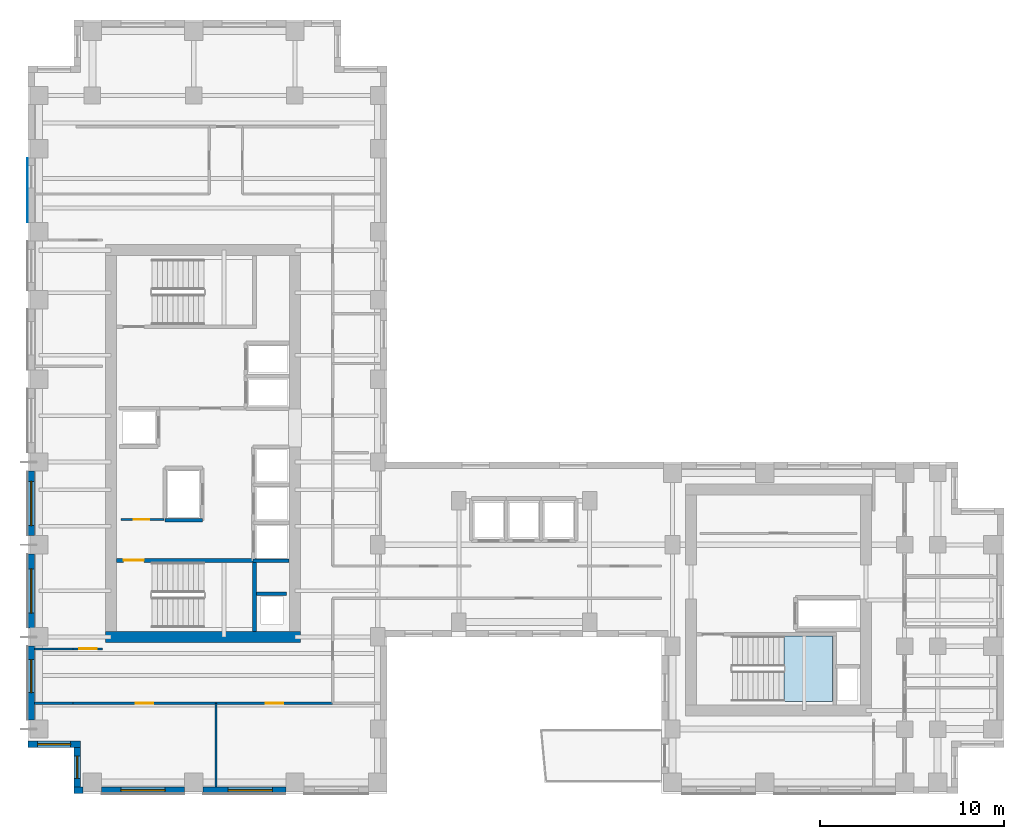
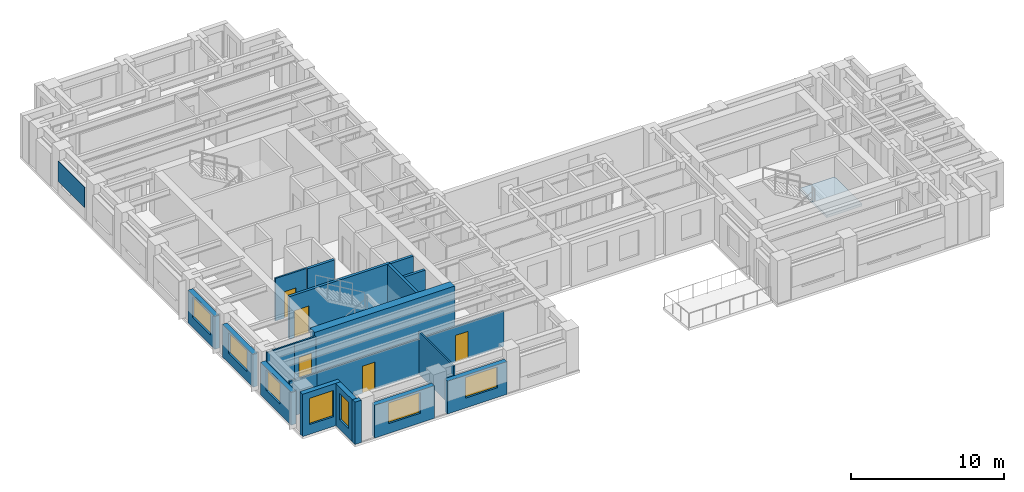
# One storey, part 3 of 12: 21 walls, 7 windows, 5 doors, 1 plate, 1 slab, 12 openings, 1 element without a shape of its own.
"""IFC4 building model written with IfcOpenShell, lengths in metres."""

from ifc_helpers import new_model, si_unit, direction, frame, frame_2d, origin, origin_2d, place, context, subcontext, project, spatial, polyline, rectangle, outline, extrude, source, transform, mapped, material, layer, layer_set, type_object, element, fill, aggregate, save


model = new_model("IFC4")

# Units and contexts
model_context = context("Model", 3, precision=1e-05, world=origin(), true_north=direction((0.0, 1.0)))
body_context = subcontext(model_context, "Body", "Model", "MODEL_VIEW")
ifc_project = project(units=[si_unit("LENGTHUNIT", "METRE"), si_unit("AREAUNIT", "SQUARE_METRE"), si_unit("VOLUMEUNIT", "CUBIC_METRE"), si_unit("PLANEANGLEUNIT", "RADIAN"), si_unit("MASSUNIT", "GRAM", prefix="KILO")], contexts=[model_context])

# Site, building, storey
site_placement = place(None, origin())
site = spatial("IfcSite", under=ifc_project, at=site_placement, CompositionType="ELEMENT")
building_placement = place(site_placement, origin())
building = spatial("IfcBuilding", under=site, at=building_placement, Name="Kharzan Plaza Tower", CompositionType="ELEMENT")
storey_placement = place(building_placement, frame((0.0, 0.0, 179.10009765625)))
storey = spatial("IfcBuildingStorey", under=building, at=storey_placement, Name="L48", CompositionType="ELEMENT", Elevation=179.10009765625)

# Stair, slab
ifc_material_1 = material(Name="Concrete C40/50", Category="concrete")
stair_type = type_object("IfcStairType", Name="STR-ST-3", PredefinedType="HALF_TURN_STAIR", material=ifc_material_1)
stair_placement = place(storey_placement, origin())
stair = element("IfcStair", 1, at=stair_placement, inside=storey, type_object=stair_type, Name="L48 Protected Exit Stair ST-3", PredefinedType="HALF_TURN_STAIR")
ifc_layer_1 = layer(ifc_material_1, 0.219970703125)
ifc_layer_set_1 = layer_set([ifc_layer_1], Name="Concrete C40/50")
slab_type = type_object("IfcSlabType", Name="SL-LANDING-220", PredefinedType="LANDING", material=ifc_layer_set_1)
slab_placement = place(storey_placement, frame((0.0, 0.0, 1.599853515625)))
slab = element("IfcSlab", 2, at=slab_placement, type_object=slab_type, Name="ST-3 landing 1", PredefinedType="LANDING", context=body_context, shape_type="SweptSolid", body=[
    extrude(outline(polyline([(41.050048828125, 5.0), (43.699951171875, 5.0), (43.699951171875, 8.550048828125), (41.050048828125, 8.550048828125), (41.050048828125, 5.0)])), origin(), (0.0, 0.0, 1.0), 0.199951171875),
])
aggregate(stair, [slab])

# Plate
ifc_material_2 = material(Name="Perforated Bronze-Anodized Aluminium", Category="aluminium")
ifc_layer_2 = layer(ifc_material_2, 0.030029296875)
ifc_layer_set_2 = layer_set([ifc_layer_2], Name="Perforated Bronze-Anodized Aluminium")
plate_type = type_object("IfcPlateType", Name="PLT-MASH-SCREEN", PredefinedType="SHEET", material=ifc_layer_set_2)
shared_shape_1 = source(origin(), body_context, "Body", "SweptSolid", [
    extrude(rectangle(XDim=3.464111328125, YDim=0.030029296875, at=origin_2d()), origin(), (0.0, 0.0, 1.0), 1.632080078125),
])
plate_placement = place(storey_placement, frame((-0.012939453125, 32.75, 1.013671875), z_axis=(0.0, 0.0, 1.0), x_axis=(0.0, -1.0, 0.0)))
element("IfcPlate", 3, at=plate_placement, inside=storey, type_object=plate_type, Name="L48 Perforated Mashrabiya Solar Screen", PredefinedType="SHEET", context=body_context, shape_type="MappedRepresentation", body=[
    mapped(shared_shape_1, transform((0.0, 0.0, 0.0), x_axis=(1.0, 0.0, 0.0), y_axis=(0.0, 1.0, 0.0), z_axis=(0.0, 0.0, 1.0))),
])

# Wall, opening, window
ifc_layer_3 = layer(ifc_material_1, 0.35009765625)
ifc_layer_set_3 = layer_set([ifc_layer_3], Name="Concrete C40/50")
wall_type_1 = type_object("IfcWallType", Name="WL-EXT-MAS-Z3", PredefinedType="SOLIDWALL", material=ifc_layer_set_3)
wall_1_placement = place(storey_placement, frame((0.175048828125, 17.501953125, 0.0), z_axis=(0.0, 0.0, 1.0), x_axis=(0.0, -1.0, 0.0)))
wall_1 = element("IfcWall", 4, at=wall_1_placement, inside=storey, type_object=wall_type_1, Name="L48 Masonry-Frame Exterior Wall 15", PredefinedType="SOLIDWALL", context=body_context, shape_type="SweptSolid", body=[
    extrude(rectangle(XDim=3.50390625, YDim=0.35009765625, at=frame_2d((1.751953125, 0.0))), origin(), (0.0, 0.0, 1.0), 2.61181640625),
])
opening_1_placement = place(wall_1_placement, frame((0.552001953125, 0.0, 0.780029296875)))
opening_1 = element("IfcOpeningElement", 5, at=opening_1_placement, cuts=wall_1, Name="Opening W2", PredefinedType="OPENING", context=body_context, shape_type="SweptSolid", body=[
    extrude(rectangle(XDim=2.39990234375, YDim=1.652099609375, at=frame_2d((1.199951171875, 0.826171875))), frame((0.0, 0.18505859375, 0.0), z_axis=(0.0, -1.0, 0.0), x_axis=(1.0, 0.0, 0.0)), (0.0, 0.0, 1.0), 0.3701171875),
])
ifc_material_3 = material(Name="Low-E Double Glazing", Category="glass")
window_type_1 = type_object("IfcWindowType", Name="WN-REC-2400x2100", PartitioningType="SINGLE_PANEL", PredefinedType="WINDOW", material=ifc_material_3)
shared_shape_2 = source(origin(), body_context, "Body", "SweptSolid", [
    extrude(rectangle(XDim=2.39990234375, YDim=1.652099609375, at=frame_2d((1.199951171875, 0.826171875))), frame((0.0, 0.030029296875, 0.0), z_axis=(0.0, -1.0, 0.0), x_axis=(1.0, 0.0, 0.0)), (0.0, 0.0, 1.0), 0.06005859375),
])
window_1_placement = place(opening_1_placement, origin())
window_1 = element("IfcWindow", 6, at=window_1_placement, inside=storey, type_object=window_type_1, Name="L48 Wide Recessed Solar-Control Window 15-1", OverallHeight=1.652099609375, OverallWidth=2.39990234375, PartitioningType="SINGLE_PANEL", PredefinedType="WINDOW", context=body_context, shape_type="MappedRepresentation", body=[
    mapped(shared_shape_2, transform((0.0, 0.0, 0.0), x_axis=(1.0, 0.0, 0.0), y_axis=(0.0, 1.0, 0.0), z_axis=(0.0, 0.0, 1.0))),
])
fill(opening_1, window_1)

wall_2_placement = place(storey_placement, frame((0.175048828125, 13.001953125, 0.0), z_axis=(0.0, 0.0, 1.0), x_axis=(0.0, -1.0, 0.0)))
wall_2 = element("IfcWall", 7, at=wall_2_placement, inside=storey, type_object=wall_type_1, Name="L48 Masonry-Frame Exterior Wall 16", PredefinedType="SOLIDWALL", context=body_context, shape_type="SweptSolid", body=[
    extrude(rectangle(XDim=4.00390625, YDim=0.35009765625, at=frame_2d((2.001953125, 0.0))), origin(), (0.0, 0.0, 1.0), 2.61181640625),
])
opening_2_placement = place(wall_2_placement, frame((0.802001953125, 0.0, 0.780029296875)))
opening_2 = element("IfcOpeningElement", 8, at=opening_2_placement, cuts=wall_2, Name="Opening W2", PredefinedType="OPENING", context=body_context, shape_type="SweptSolid", body=[
    extrude(rectangle(XDim=2.39990234375, YDim=1.652099609375, at=frame_2d((1.199951171875, 0.826171875))), frame((0.0, 0.18505859375, 0.0), z_axis=(0.0, -1.0, 0.0), x_axis=(1.0, 0.0, 0.0)), (0.0, 0.0, 1.0), 0.3701171875),
])
window_2_placement = place(opening_2_placement, origin())
window_2 = element("IfcWindow", 9, at=window_2_placement, inside=storey, type_object=window_type_1, Name="L48 Wide Recessed Solar-Control Window 16-1", OverallHeight=1.652099609375, OverallWidth=2.39990234375, PartitioningType="SINGLE_PANEL", PredefinedType="WINDOW", context=body_context, shape_type="MappedRepresentation", body=[
    mapped(shared_shape_2, transform((0.0, 0.0, 0.0), x_axis=(1.0, 0.0, 0.0), y_axis=(0.0, 1.0, 0.0), z_axis=(0.0, 0.0, 1.0))),
])
fill(opening_2, window_2)

wall_3_placement = place(storey_placement, frame((0.175048828125, 8.001953125, 0.0), z_axis=(0.0, 0.0, 1.0), x_axis=(0.0, -1.0, 0.0)))
wall_3 = element("IfcWall", 10, at=wall_3_placement, inside=storey, type_object=wall_type_1, Name="L48 Masonry-Frame Exterior Wall 17", PredefinedType="SOLIDWALL", context=body_context, shape_type="SweptSolid", body=[
    extrude(rectangle(XDim=4.00390625, YDim=0.35009765625, at=frame_2d((2.001953125, 0.0))), origin(), (0.0, 0.0, 1.0), 2.61181640625),
])
opening_3_placement = place(wall_3_placement, frame((0.72705078125, 0.0, 0.780029296875)))
opening_3 = element("IfcOpeningElement", 11, at=opening_3_placement, cuts=wall_3, Name="Opening W1", PredefinedType="OPENING", context=body_context, shape_type="SweptSolid", body=[
    extrude(rectangle(XDim=1.800048828125, YDim=1.652099609375, at=frame_2d((0.89990234375, 0.826171875))), frame((0.0, 0.18505859375, 0.0), z_axis=(0.0, -1.0, 0.0), x_axis=(1.0, 0.0, 0.0)), (0.0, 0.0, 1.0), 0.3701171875),
])
window_type_2 = type_object("IfcWindowType", Name="WN-REC-1800x2100", PartitioningType="SINGLE_PANEL", PredefinedType="WINDOW", material=ifc_material_3)
shared_shape_3 = source(origin(), body_context, "Body", "SweptSolid", [
    extrude(rectangle(XDim=1.800048828125, YDim=1.652099609375, at=frame_2d((0.89990234375, 0.826171875))), frame((0.0, 0.030029296875, 0.0), z_axis=(0.0, -1.0, 0.0), x_axis=(1.0, 0.0, 0.0)), (0.0, 0.0, 1.0), 0.06005859375),
])
window_3_placement = place(opening_3_placement, origin())
window_3 = element("IfcWindow", 12, at=window_3_placement, inside=storey, type_object=window_type_2, Name="L48 Recessed Solar-Control Window 17-1", OverallHeight=1.652099609375, OverallWidth=1.800048828125, PartitioningType="SINGLE_PANEL", PredefinedType="WINDOW", context=body_context, shape_type="MappedRepresentation", body=[
    mapped(shared_shape_3, transform((0.0, 0.0, 0.0), x_axis=(1.0, 0.0, 0.0), y_axis=(0.0, 1.0, 0.0), z_axis=(0.0, 0.0, 1.0))),
])
fill(opening_3, window_3)

wall_4_placement = place(storey_placement, frame((0.0, 2.675048828125, 0.0), z_axis=(0.0, 0.0, 1.0), x_axis=(1.0, 0.0, 0.0)))
wall_4 = element("IfcWall", 13, at=wall_4_placement, inside=storey, type_object=wall_type_1, Name="L48 Masonry-Frame Exterior Wall 18", PredefinedType="SOLIDWALL", context=body_context, shape_type="SweptSolid", body=[
    extrude(rectangle(XDim=2.85009765625, YDim=0.35009765625, at=frame_2d((1.425048828125, 0.0))), origin(), (0.0, 0.0, 1.0), 3.385009765625),
])
opening_4_placement = place(wall_4_placement, frame((0.52490234375, 0.0, 0.780029296875)))
opening_4 = element("IfcOpeningElement", 14, at=opening_4_placement, cuts=wall_4, Name="Opening W1", PredefinedType="OPENING", context=body_context, shape_type="SweptSolid", body=[
    extrude(rectangle(XDim=1.800048828125, YDim=2.10009765625, at=frame_2d((0.89990234375, 1.050048828125))), frame((0.0, 0.18505859375, 0.0), z_axis=(0.0, -1.0, 0.0), x_axis=(1.0, 0.0, 0.0)), (0.0, 0.0, 1.0), 0.3701171875),
])
shared_shape_4 = source(origin(), body_context, "Body", "SweptSolid", [
    extrude(rectangle(XDim=1.800048828125, YDim=2.10009765625, at=frame_2d((0.89990234375, 1.050048828125))), frame((0.0, 0.030029296875, 0.0), z_axis=(0.0, -1.0, 0.0), x_axis=(1.0, 0.0, 0.0)), (0.0, 0.0, 1.0), 0.06005859375),
])
window_4_placement = place(opening_4_placement, origin())
window_4 = element("IfcWindow", 15, at=window_4_placement, inside=storey, type_object=window_type_2, Name="L48 Recessed Solar-Control Window 18-1", OverallHeight=2.10009765625, OverallWidth=1.800048828125, PartitioningType="SINGLE_PANEL", PredefinedType="WINDOW", context=body_context, shape_type="MappedRepresentation", body=[
    mapped(shared_shape_4, transform((0.0, 0.0, 0.0), x_axis=(1.0, 0.0, 0.0), y_axis=(0.0, 1.0, 0.0), z_axis=(0.0, 0.0, 1.0))),
])
fill(opening_4, window_4)

wall_5_placement = place(storey_placement, frame((2.675048828125, 2.501953125, 0.0), z_axis=(0.0, 0.0, 1.0), x_axis=(0.0, -1.0, 0.0)))
wall_5 = element("IfcWall", 16, at=wall_5_placement, inside=storey, type_object=wall_type_1, Name="L48 Masonry-Frame Exterior Wall 19", PredefinedType="SOLIDWALL", context=body_context, shape_type="SweptSolid", body=[
    extrude(rectangle(XDim=2.154052734375, YDim=0.35009765625, at=frame_2d((1.0771484375, 0.0))), origin(), (0.0, 0.0, 1.0), 3.385009765625),
])
opening_5_placement = place(wall_5_placement, frame((0.47705078125, 0.0, 0.780029296875)))
opening_5 = element("IfcOpeningElement", 17, at=opening_5_placement, cuts=wall_5, Name="Opening W3", PredefinedType="OPENING", context=body_context, shape_type="SweptSolid", body=[
    extrude(rectangle(XDim=1.199951171875, YDim=2.10009765625, at=frame_2d((0.60009765625, 1.050048828125))), frame((0.0, 0.18505859375, 0.0), z_axis=(0.0, -1.0, 0.0), x_axis=(1.0, 0.0, 0.0)), (0.0, 0.0, 1.0), 0.3701171875),
])
window_type_3 = type_object("IfcWindowType", Name="WN-REC-1200x2100", PartitioningType="SINGLE_PANEL", PredefinedType="WINDOW", material=ifc_material_3)
shared_shape_5 = source(origin(), body_context, "Body", "SweptSolid", [
    extrude(rectangle(XDim=1.199951171875, YDim=2.10009765625, at=frame_2d((0.60009765625, 1.050048828125))), frame((0.0, 0.030029296875, 0.0), z_axis=(0.0, -1.0, 0.0), x_axis=(1.0, 0.0, 0.0)), (0.0, 0.0, 1.0), 0.06005859375),
])
window_5_placement = place(opening_5_placement, origin())
window_5 = element("IfcWindow", 18, at=window_5_placement, inside=storey, type_object=window_type_3, Name="L48 Recessed Solar-Control Window 19-1", OverallHeight=2.10009765625, OverallWidth=1.199951171875, PartitioningType="SINGLE_PANEL", PredefinedType="WINDOW", context=body_context, shape_type="MappedRepresentation", body=[
    mapped(shared_shape_5, transform((0.0, 0.0, 0.0), x_axis=(1.0, 0.0, 0.0), y_axis=(0.0, 1.0, 0.0), z_axis=(0.0, 0.0, 1.0))),
])
fill(opening_5, window_5)

wall_6_placement = place(storey_placement, frame((3.998046875, 0.175048828125, 0.0), z_axis=(0.0, 0.0, 1.0), x_axis=(1.0, 0.0, 0.0)))
wall_6 = element("IfcWall", 19, at=wall_6_placement, inside=storey, type_object=wall_type_1, Name="L48 Masonry-Frame Exterior Wall 21", PredefinedType="SOLIDWALL", context=body_context, shape_type="SweptSolid", body=[
    extrude(rectangle(XDim=4.50390625, YDim=0.35009765625, at=frame_2d((2.251953125, 0.0))), origin(), (0.0, 0.0, 1.0), 2.61181640625),
])
opening_6_placement = place(wall_6_placement, frame((1.052001953125, 0.0, 0.780029296875)))
opening_6 = element("IfcOpeningElement", 20, at=opening_6_placement, cuts=wall_6, Name="Opening W2", PredefinedType="OPENING", context=body_context, shape_type="SweptSolid", body=[
    extrude(rectangle(XDim=2.39990234375, YDim=1.652099609375, at=frame_2d((1.199951171875, 0.826171875))), frame((0.0, 0.18505859375, 0.0), z_axis=(0.0, -1.0, 0.0), x_axis=(1.0, 0.0, 0.0)), (0.0, 0.0, 1.0), 0.3701171875),
])
window_6_placement = place(opening_6_placement, origin())
window_6 = element("IfcWindow", 21, at=window_6_placement, inside=storey, type_object=window_type_1, Name="L48 Wide Recessed Solar-Control Window 21-1", OverallHeight=1.652099609375, OverallWidth=2.39990234375, PartitioningType="SINGLE_PANEL", PredefinedType="WINDOW", context=body_context, shape_type="MappedRepresentation", body=[
    mapped(shared_shape_2, transform((0.0, 0.0, 0.0), x_axis=(1.0, 0.0, 0.0), y_axis=(0.0, 1.0, 0.0), z_axis=(0.0, 0.0, 1.0))),
])
fill(opening_6, window_6)

wall_7_placement = place(storey_placement, frame((9.498046875, 0.175048828125, 0.0), z_axis=(0.0, 0.0, 1.0), x_axis=(1.0, 0.0, 0.0)))
wall_7 = element("IfcWall", 22, at=wall_7_placement, inside=storey, type_object=wall_type_1, Name="L48 Masonry-Frame Exterior Wall 22", PredefinedType="SOLIDWALL", context=body_context, shape_type="SweptSolid", body=[
    extrude(rectangle(XDim=4.50390625, YDim=0.35009765625, at=frame_2d((2.251953125, 0.0))), origin(), (0.0, 0.0, 1.0), 2.61181640625),
])
opening_7_placement = place(wall_7_placement, frame((1.37451171875, 0.0, 0.780029296875)))
opening_7 = element("IfcOpeningElement", 23, at=opening_7_placement, cuts=wall_7, Name="Opening W2", PredefinedType="OPENING", context=body_context, shape_type="SweptSolid", body=[
    extrude(rectangle(XDim=2.39990234375, YDim=1.652099609375, at=frame_2d((1.199951171875, 0.826171875))), frame((0.0, 0.18505859375, 0.0), z_axis=(0.0, -1.0, 0.0), x_axis=(1.0, 0.0, 0.0)), (0.0, 0.0, 1.0), 0.3701171875),
])
window_7_placement = place(opening_7_placement, origin())
window_7 = element("IfcWindow", 24, at=window_7_placement, inside=storey, type_object=window_type_1, Name="L48 Wide Recessed Solar-Control Window 22-1", OverallHeight=1.652099609375, OverallWidth=2.39990234375, PartitioningType="SINGLE_PANEL", PredefinedType="WINDOW", context=body_context, shape_type="MappedRepresentation", body=[
    mapped(shared_shape_2, transform((0.0, 0.0, 0.0), x_axis=(1.0, 0.0, 0.0), y_axis=(0.0, 1.0, 0.0), z_axis=(0.0, 0.0, 1.0))),
])
fill(opening_7, window_7)

# Wall, opening, door
ifc_material_4 = material(Name="Fire-Rated Gypsum Board Partition", Category="gypsum")
ifc_layer_4 = layer(ifc_material_4, 0.125)
ifc_layer_set_4 = layer_set([ifc_layer_4], Name="Fire-Rated Gypsum Board Partition")
wall_type_2 = type_object("IfcWallType", Name="WL-INT-PART-125", PredefinedType="PARTITIONING", material=ifc_layer_set_4)
wall_8_placement = place(storey_placement, frame((5.050048828125, 14.8798828125, 0.0), z_axis=(0.0, 0.0, 1.0), x_axis=(1.0, 0.0, 0.0)))
wall_8 = element("IfcWall", 25, at=wall_8_placement, inside=storey, type_object=wall_type_2, Name="L48 Interior Partition CA-K0", PredefinedType="PARTITIONING", context=body_context, shape_type="SweptSolid", body=[
    extrude(rectangle(XDim=2.349853515625, YDim=0.125, at=frame_2d((1.1748046875, 0.0))), origin(), (0.0, 0.0, 1.0), 3.385009765625),
])
opening_8_placement = place(wall_8_placement, frame((0.699951171875, 0.0, 0.0)))
opening_8 = element("IfcOpeningElement", 26, at=opening_8_placement, cuts=wall_8, Name="Opening RD1", PredefinedType="OPENING", context=body_context, shape_type="SweptSolid", body=[
    extrude(rectangle(XDim=0.85009765625, YDim=2.10009765625, at=frame_2d((0.425048828125, 1.050048828125))), frame((0.0, 0.072509765625, 0.0), z_axis=(0.0, -1.0, 0.0), x_axis=(1.0, 0.0, 0.0)), (0.0, 0.0, 1.0), 0.14501953125),
])
ifc_material_5 = material(Name="Powder-Coated Fire-Rated Steel", Category="steel")
door_type_1 = type_object("IfcDoorType", Name="DR-RISER-900", OperationType="NOTDEFINED", PredefinedType="DOOR", material=ifc_material_5)
shared_shape_6 = source(origin(), body_context, "Body", "SweptSolid", [
    extrude(rectangle(XDim=0.85009765625, YDim=2.10009765625, at=frame_2d((0.425048828125, 1.050048828125))), frame((0.0, 0.02490234375, 0.0), z_axis=(0.0, -1.0, 0.0), x_axis=(1.0, 0.0, 0.0)), (0.0, 0.0, 1.0), 0.050048828125),
])
door_1_placement = place(opening_8_placement, origin())
door_1 = element("IfcDoor", 27, at=door_1_placement, inside=storey, type_object=door_type_1, Name="L48 Cleaners Store Door", OperationType="SINGLE_SWING_LEFT", OverallHeight=2.10009765625, OverallWidth=0.85009765625, PredefinedType="DOOR", context=body_context, shape_type="MappedRepresentation", body=[
    mapped(shared_shape_6, transform((0.0, 0.0, 0.0), x_axis=(1.0, 0.0, 0.0), y_axis=(0.0, 1.0, 0.0), z_axis=(0.0, 0.0, 1.0))),
])
fill(opening_8, door_1)

wall_9_placement = place(storey_placement, frame((2.449951171875, 7.85009765625, 0.0), z_axis=(0.0, 0.0, 1.0), x_axis=(1.0, 0.0, 0.0)))
wall_9 = element("IfcWall", 28, at=wall_9_placement, inside=storey, type_object=wall_type_2, Name="L48 Interior Partition SH-RWSD", PredefinedType="PARTITIONING", context=body_context, shape_type="SweptSolid", body=[
    extrude(rectangle(XDim=1.60009765625, YDim=0.125, at=frame_2d((0.800048828125, 0.0))), origin(), (0.0, 0.0, 1.0), 3.385009765625),
])
opening_9_placement = place(wall_9_placement, frame((0.324951171875, 0.0, 0.0)))
opening_9 = element("IfcOpeningElement", 29, at=opening_9_placement, cuts=wall_9, Name="Opening OD1", PredefinedType="OPENING", context=body_context, shape_type="SweptSolid", body=[
    extrude(rectangle(XDim=0.949951171875, YDim=2.14990234375, at=frame_2d((0.47509765625, 1.074951171875))), frame((0.0, 0.072509765625, 0.0), z_axis=(0.0, -1.0, 0.0), x_axis=(1.0, 0.0, 0.0)), (0.0, 0.0, 1.0), 0.14501953125),
])
ifc_material_6 = material(Name="Acoustic Solid-Core Stained Oak", Category="timber")
door_type_2 = type_object("IfcDoorType", Name="DR-OFF-SINGLE", OperationType="NOTDEFINED", PredefinedType="DOOR", material=ifc_material_6)
shared_shape_7 = source(origin(), body_context, "Body", "SweptSolid", [
    extrude(rectangle(XDim=0.949951171875, YDim=2.14990234375, at=frame_2d((0.47509765625, 1.074951171875))), frame((0.0, 0.02490234375, 0.0), z_axis=(0.0, -1.0, 0.0), x_axis=(1.0, 0.0, 0.0)), (0.0, 0.0, 1.0), 0.050048828125),
])
door_2_placement = place(opening_9_placement, origin())
door_2 = element("IfcDoor", 30, at=door_2_placement, inside=storey, type_object=door_type_2, Name="L48 West Office 1 Door", OperationType="SINGLE_SWING_RIGHT", OverallHeight=2.14990234375, OverallWidth=0.949951171875, PredefinedType="DOOR", context=body_context, shape_type="MappedRepresentation", body=[
    mapped(shared_shape_7, transform((0.0, 0.0, 0.0), x_axis=(1.0, 0.0, 0.0), y_axis=(0.0, 1.0, 0.0), z_axis=(0.0, 0.0, 1.0))),
])
fill(opening_9, door_2)

wall_10_placement = place(storey_placement, frame((2.449951171875, 4.89990234375, 0.0), z_axis=(0.0, 0.0, 1.0), x_axis=(1.0, 0.0, 0.0)))
wall_10 = element("IfcWall", 31, at=wall_10_placement, inside=storey, type_object=wall_type_2, Name="L48 Interior Partition SH-SS-1", PredefinedType="PARTITIONING", context=body_context, shape_type="SweptSolid", body=[
    extrude(rectangle(XDim=7.762939453125, YDim=0.125, at=frame_2d((3.88134765625, 0.0))), origin(), (0.0, 0.0, 1.0), 2.847900390625),
])
opening_10_placement = place(wall_10_placement, frame((3.406494140625, 0.0, 0.0)))
opening_10 = element("IfcOpeningElement", 32, at=opening_10_placement, cuts=wall_10, Name="Opening OD1", PredefinedType="OPENING", context=body_context, shape_type="SweptSolid", body=[
    extrude(rectangle(XDim=0.949951171875, YDim=2.14990234375, at=frame_2d((0.47509765625, 1.074951171875))), frame((0.0, 0.072509765625, 0.0), z_axis=(0.0, -1.0, 0.0), x_axis=(1.0, 0.0, 0.0)), (0.0, 0.0, 1.0), 0.14501953125),
])
door_3_placement = place(opening_10_placement, origin())
door_3 = element("IfcDoor", 33, at=door_3_placement, inside=storey, type_object=door_type_2, Name="L48 General Counsel Office Door", OperationType="SINGLE_SWING_RIGHT", OverallHeight=2.14990234375, OverallWidth=0.949951171875, PredefinedType="DOOR", context=body_context, shape_type="MappedRepresentation", body=[
    mapped(shared_shape_7, transform((0.0, 0.0, 0.0), x_axis=(1.0, 0.0, 0.0), y_axis=(0.0, 1.0, 0.0), z_axis=(0.0, 0.0, 1.0))),
])
fill(opening_10, door_3)

wall_11_placement = place(storey_placement, frame((10.212890625, 4.89990234375, 0.0), z_axis=(0.0, 0.0, 1.0), x_axis=(1.0, 0.0, 0.0)))
wall_11 = element("IfcWall", 34, at=wall_11_placement, inside=storey, type_object=wall_type_2, Name="L48 Interior Partition SH-SS-2", PredefinedType="PARTITIONING", context=body_context, shape_type="SweptSolid", body=[
    extrude(rectangle(XDim=6.337158203125, YDim=0.125, at=frame_2d((3.16845703125, 0.0))), origin(), (0.0, 0.0, 1.0), 2.847900390625),
])
opening_11_placement = place(wall_11_placement, frame((2.693603515625, 0.0, 0.0)))
opening_11 = element("IfcOpeningElement", 35, at=opening_11_placement, cuts=wall_11, Name="Opening OD1", PredefinedType="OPENING", context=body_context, shape_type="SweptSolid", body=[
    extrude(rectangle(XDim=0.949951171875, YDim=2.14990234375, at=frame_2d((0.47509765625, 1.074951171875))), frame((0.0, 0.072509765625, 0.0), z_axis=(0.0, -1.0, 0.0), x_axis=(1.0, 0.0, 0.0)), (0.0, 0.0, 1.0), 0.14501953125),
])
door_4_placement = place(opening_11_placement, origin())
door_4 = element("IfcDoor", 36, at=door_4_placement, inside=storey, type_object=door_type_2, Name="L48 Legal Research Office Door", OperationType="SINGLE_SWING_LEFT", OverallHeight=2.14990234375, OverallWidth=0.949951171875, PredefinedType="DOOR", context=body_context, shape_type="MappedRepresentation", body=[
    mapped(shared_shape_7, transform((0.0, 0.0, 0.0), x_axis=(1.0, 0.0, 0.0), y_axis=(0.0, 1.0, 0.0), z_axis=(0.0, 0.0, 1.0))),
])
fill(opening_11, door_4)

ifc_material_7 = material(Name="Concrete C50/60", Category="concrete")
ifc_layer_5 = layer(ifc_material_7, 0.199951171875)
ifc_layer_set_5 = layer_set([ifc_layer_5], Name="Concrete C50/60")
wall_type_3 = type_object("IfcWallType", Name="WL-SHAFT-RC200", PredefinedType="SHEAR", material=ifc_layer_set_5)
wall_12_placement = place(storey_placement, frame((4.802001953125, 12.655029296875, 0.0), z_axis=(0.0, 0.0, 1.0), x_axis=(1.0, 0.0, 0.0)))
wall_12 = element("IfcWall", 37, at=wall_12_placement, inside=storey, type_object=wall_type_3, Name="L48 Stair ST-1 North RC Shaft Wall", PredefinedType="SHEAR", context=body_context, shape_type="SweptSolid", body=[
    extrude(rectangle(XDim=7.60302734375, YDim=0.199951171875, at=frame_2d((3.801513671875, 0.0))), origin(), (0.0, 0.0, 1.0), 3.39990234375),
])
opening_12_placement = place(wall_12_placement, frame((0.39990234375, 0.0, 0.0)))
opening_12 = element("IfcOpeningElement", 38, at=opening_12_placement, cuts=wall_12, Name="Opening SD1", PredefinedType="OPENING", context=body_context, shape_type="SweptSolid", body=[
    extrude(rectangle(XDim=1.10009765625, YDim=2.14990234375, at=frame_2d((0.550048828125, 1.074951171875))), frame((0.0, 0.10986328125, 0.0), z_axis=(0.0, -1.0, 0.0), x_axis=(1.0, 0.0, 0.0)), (0.0, 0.0, 1.0), 0.219970703125),
])
ifc_material_8 = material(Name="Fire-Rated Hollow Galvanized Steel", Category="steel")
door_type_3 = type_object("IfcDoorType", Name="DR-STAIR-FD120", OperationType="NOTDEFINED", PredefinedType="DOOR", material=ifc_material_8)
shared_shape_8 = source(origin(), body_context, "Body", "SweptSolid", [
    extrude(rectangle(XDim=1.10009765625, YDim=2.14990234375, at=frame_2d((0.550048828125, 1.074951171875))), frame((0.0, 0.02490234375, 0.0), z_axis=(0.0, -1.0, 0.0), x_axis=(1.0, 0.0, 0.0)), (0.0, 0.0, 1.0), 0.050048828125),
])
door_5_placement = place(opening_12_placement, origin())
door_5 = element("IfcDoor", 39, at=door_5_placement, inside=storey, type_object=door_type_3, Name="L48 Stair ST-1 Fire Exit Door", OperationType="SINGLE_SWING_RIGHT", OverallHeight=2.14990234375, OverallWidth=1.10009765625, PredefinedType="DOOR", context=body_context, shape_type="MappedRepresentation", body=[
    mapped(shared_shape_8, transform((0.0, 0.0, 0.0), x_axis=(1.0, 0.0, 0.0), y_axis=(0.0, 1.0, 0.0), z_axis=(0.0, 0.0, 1.0))),
])
fill(opening_12, door_5)

# Walls
ifc_layer_6 = layer(ifc_material_7, 0.60009765625)
ifc_layer_set_6 = layer_set([ifc_layer_6], Name="Concrete C50/60")
wall_type_4 = type_object("IfcWallType", Name="WL-CORE-600", PredefinedType="SHEAR", material=ifc_layer_set_6)
shared_shape_9 = source(origin(), body_context, "Body", "SweptSolid", [
    extrude(rectangle(XDim=10.60009765625, YDim=0.60009765625, at=frame_2d((5.300048828125, 0.0))), origin(), (0.0, 0.0, 1.0), 3.39990234375),
])
wall_13_placement = place(storey_placement, frame((4.199951171875, 8.5, 0.0), z_axis=(0.0, 0.0, 1.0), x_axis=(1.0, 0.0, 0.0)))
element("IfcWall", 40, at=wall_13_placement, inside=storey, type_object=wall_type_4, Name="L48 CORE-A south RC shear wall", PredefinedType="SHEAR", context=body_context, shape_type="MappedRepresentation", body=[
    mapped(shared_shape_9, transform((0.0, 0.0, 0.0), x_axis=(1.0, 0.0, 0.0), y_axis=(0.0, 1.0, 0.0), z_axis=(0.0, 0.0, 1.0))),
])
shared_shape_10 = source(origin(), body_context, "Body", "SweptSolid", [
    extrude(rectangle(XDim=0.501953125, YDim=0.35009765625, at=frame_2d((0.2509765625, 0.0))), origin(), (0.0, 0.0, 1.0), 3.385009765625),
])
wall_14_placement = place(storey_placement, frame((2.5, 0.175048828125, 0.0), z_axis=(0.0, 0.0, 1.0), x_axis=(1.0, 0.0, 0.0)))
element("IfcWall", 41, at=wall_14_placement, inside=storey, type_object=wall_type_1, Name="L48 Masonry-Frame Exterior Wall 20", PredefinedType="SOLIDWALL", context=body_context, shape_type="MappedRepresentation", body=[
    mapped(shared_shape_10, transform((0.0, 0.0, 0.0), x_axis=(1.0, 0.0, 0.0), y_axis=(0.0, 1.0, 0.0), z_axis=(0.0, 0.0, 1.0))),
])
shared_shape_11 = source(origin(), body_context, "Body", "SweptSolid", [
    extrude(rectangle(XDim=2.097900390625, YDim=0.125, at=frame_2d((1.048828125, 0.0))), origin(), (0.0, 0.0, 1.0), 3.385009765625),
])
wall_15_placement = place(storey_placement, frame((0.35205078125, 7.85009765625, 0.0), z_axis=(0.0, 0.0, 1.0), x_axis=(1.0, 0.0, 0.0)))
element("IfcWall", 42, at=wall_15_placement, inside=storey, type_object=wall_type_2, Name="L48 Interior Partition SH-RWS0", PredefinedType="PARTITIONING", context=body_context, shape_type="MappedRepresentation", body=[
    mapped(shared_shape_11, transform((0.0, 0.0, 0.0), x_axis=(1.0, 0.0, 0.0), y_axis=(0.0, 1.0, 0.0), z_axis=(0.0, 0.0, 1.0))),
])
shared_shape_12 = source(origin(), body_context, "Body", "SweptSolid", [
    extrude(rectangle(XDim=2.097900390625, YDim=0.125, at=frame_2d((1.048828125, 0.0))), origin(), (0.0, 0.0, 1.0), 2.847900390625),
])
wall_16_placement = place(storey_placement, frame((0.35205078125, 4.89990234375, 0.0), z_axis=(0.0, 0.0, 1.0), x_axis=(1.0, 0.0, 0.0)))
element("IfcWall", 43, at=wall_16_placement, inside=storey, type_object=wall_type_2, Name="L48 Interior Partition SH-SS-EXT", PredefinedType="PARTITIONING", context=body_context, shape_type="MappedRepresentation", body=[
    mapped(shared_shape_12, transform((0.0, 0.0, 0.0), x_axis=(1.0, 0.0, 0.0), y_axis=(0.0, 1.0, 0.0), z_axis=(0.0, 0.0, 1.0))),
])
ifc_layer_7 = layer(ifc_material_1, 0.199951171875)
ifc_layer_set_7 = layer_set([ifc_layer_7], Name="Concrete C40/50")
wall_type_5 = type_object("IfcWallType", Name="WL-INT-SHAFT-200", PredefinedType="PARTITIONING", material=ifc_layer_set_7)
shared_shape_13 = source(origin(), body_context, "Body", "SweptSolid", [
    extrude(rectangle(XDim=1.630126953125, YDim=0.199951171875, at=frame_2d((0.81494140625, 0.0))), origin(), (0.0, 0.0, 1.0), 3.385009765625),
])
wall_17_placement = place(storey_placement, frame((12.419921875, 10.85009765625, 0.0), z_axis=(0.0, 0.0, 1.0), x_axis=(1.0, 0.0, 0.0)))
element("IfcWall", 44, at=wall_17_placement, inside=storey, type_object=wall_type_5, Name="L48 Interior Partition CA-RSRA-N", PredefinedType="PARTITIONING", context=body_context, shape_type="MappedRepresentation", body=[
    mapped(shared_shape_13, transform((0.0, 0.0, 0.0), x_axis=(1.0, 0.0, 0.0), y_axis=(0.0, 1.0, 0.0), z_axis=(0.0, 0.0, 1.0))),
])
shared_shape_14 = source(origin(), body_context, "Body", "SweptSolid", [
    extrude(rectangle(XDim=1.93994140625, YDim=0.199951171875, at=frame_2d((0.969970703125, 0.0))), origin(), (0.0, 0.0, 1.0), 3.385009765625),
])
wall_18_placement = place(storey_placement, frame((12.22998046875, 12.6298828125, 0.0), z_axis=(0.0, 0.0, 1.0), x_axis=(1.0, 0.0, 0.0)))
element("IfcWall", 45, at=wall_18_placement, inside=storey, type_object=wall_type_5, Name="L48 Interior Partition SHF-PL-H1-S", PredefinedType="PARTITIONING", context=body_context, shape_type="MappedRepresentation", body=[
    mapped(shared_shape_14, transform((0.0, 0.0, 0.0), x_axis=(1.0, 0.0, 0.0), y_axis=(0.0, 1.0, 0.0), z_axis=(0.0, 0.0, 1.0))),
])
shared_shape_15 = source(origin(), body_context, "Body", "SweptSolid", [
    extrude(rectangle(XDim=2.0400390625, YDim=0.199951171875, at=frame_2d((1.02001953125, 0.0))), origin(), (0.0, 0.0, 1.0), 3.385009765625),
])
wall_19_placement = place(storey_placement, frame((7.429931640625, 14.830078125, 0.0), z_axis=(0.0, 0.0, 1.0), x_axis=(1.0, 0.0, 0.0)))
element("IfcWall", 46, at=wall_19_placement, inside=storey, type_object=wall_type_5, Name="L48 Interior Partition SHF-SVL-1-S", PredefinedType="PARTITIONING", context=body_context, shape_type="MappedRepresentation", body=[
    mapped(shared_shape_15, transform((0.0, 0.0, 0.0), x_axis=(1.0, 0.0, 0.0), y_axis=(0.0, 1.0, 0.0), z_axis=(0.0, 0.0, 1.0))),
])
shared_shape_16 = source(origin(), body_context, "Body", "SweptSolid", [
    extrude(rectangle(XDim=3.7529296875, YDim=0.199951171875, at=frame_2d((1.87646484375, 0.0))), origin(), (0.0, 0.0, 1.0), 3.39990234375),
])
wall_20_placement = place(storey_placement, frame((12.304931640625, 8.802001953125, 0.0), z_axis=(0.0, 0.0, 1.0), x_axis=(0.0, 1.0, 0.0)))
element("IfcWall", 47, at=wall_20_placement, inside=storey, type_object=wall_type_3, Name="L48 Stair ST-1 East RC Shaft Wall", PredefinedType="SHEAR", context=body_context, shape_type="MappedRepresentation", body=[
    mapped(shared_shape_16, transform((0.0, 0.0, 0.0), x_axis=(1.0, 0.0, 0.0), y_axis=(0.0, 1.0, 0.0), z_axis=(0.0, 0.0, 1.0))),
])
shared_shape_17 = source(origin(), body_context, "Body", "SweptSolid", [
    extrude(rectangle(XDim=4.5478515625, YDim=0.125, at=frame_2d((2.27392578125, 0.0))), origin(), (0.0, 0.0, 1.0), 3.385009765625),
])
wall_21_placement = place(storey_placement, frame((10.212890625, 0.35205078125, 0.0), z_axis=(0.0, 0.0, 1.0), x_axis=(0.0, 1.0, 0.0)))
element("IfcWall", 48, at=wall_21_placement, inside=storey, type_object=wall_type_2, Name="L48 Interior Partition SH-SV-1", PredefinedType="PARTITIONING", context=body_context, shape_type="MappedRepresentation", body=[
    mapped(shared_shape_17, transform((0.0, 0.0, 0.0), x_axis=(1.0, 0.0, 0.0), y_axis=(0.0, 1.0, 0.0), z_axis=(0.0, 0.0, 1.0))),
])

save(model, "model.ifc")
